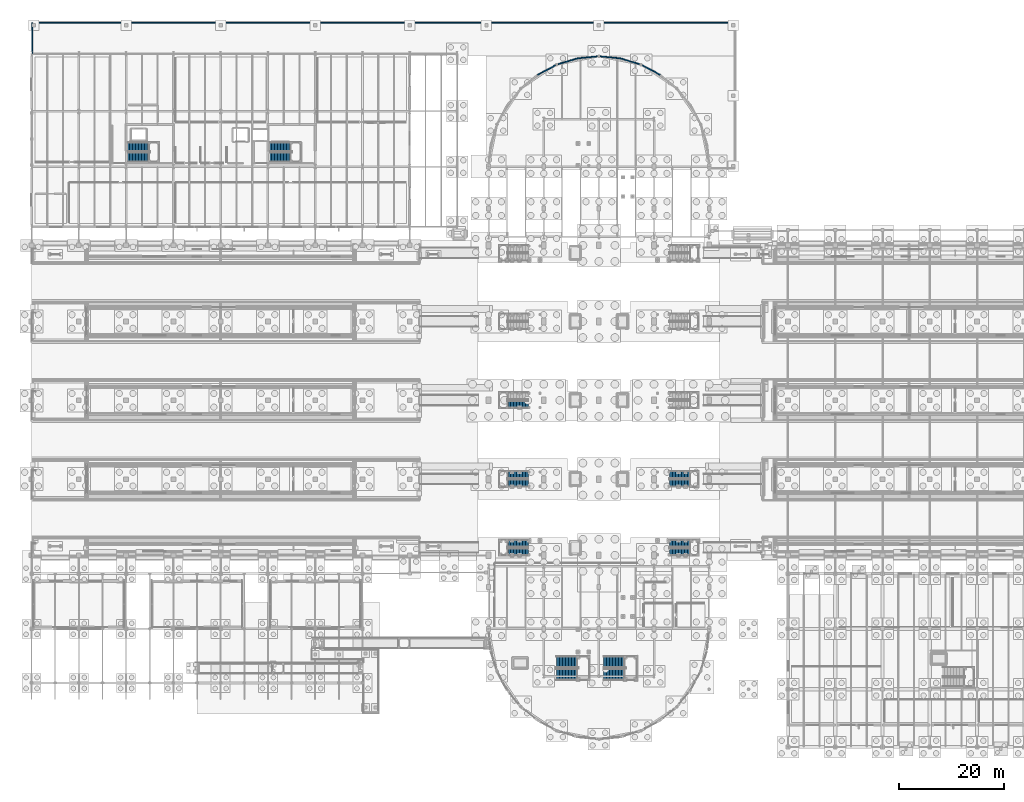
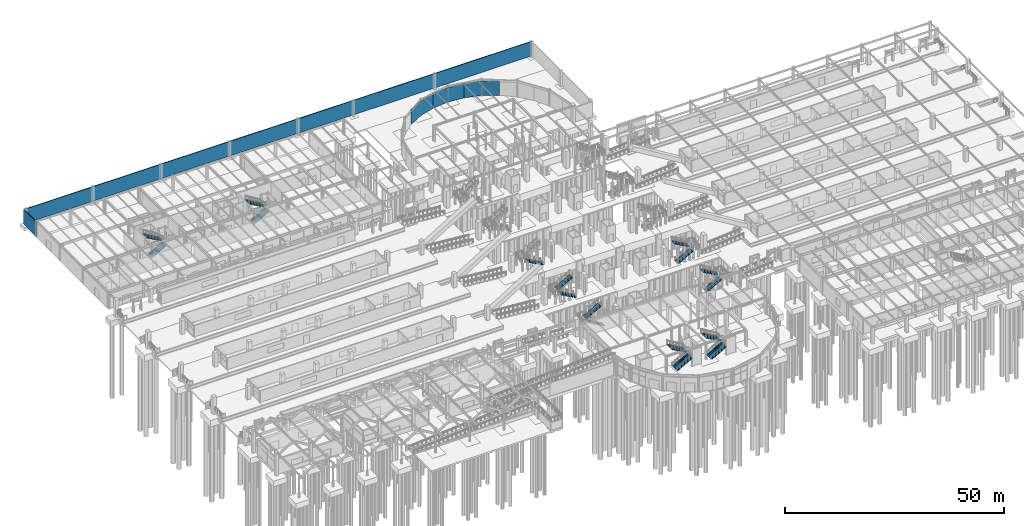
# One storey, part 114 of 160: 17 stair flights, 8 walls, 9 elements without a shape of their own.
"""IFC4 building model written with IfcOpenShell, lengths in metres."""

import ifcopenshell
import ifcopenshell.guid

model = None  # the IFC model being written
_history = None  # IfcOwnerHistory: only IFC2X3 demands one
_inside = {}  # id of a spatial element -> (the spatial element, [elements in it])
_under = {}  # id of a project, library or spatial element -> (it, [spatial elements below it])
_declared = {}  # id of a project -> (the project, [libraries it declares])
_typed = {}  # id of a type object -> (the type object, [elements of that type])
_made_of = {}  # id of a material, layer set ... -> (it, [elements and type objects made of it])


def new_model(schema):
    """Start an empty IFC model of exactly this schema.

    Asked for "IFC4X3", IfcOpenShell would pick the latest addendum, in which some entities
    have other attributes; the version numbers below select the first issue.
    IFC2X3 requires an IfcOwnerHistory on every rooted entity: one is made here for all.
    """
    global model, _history
    if schema == "IFC4X3":
        model = ifcopenshell.file(schema_version=(4, 3, 0, 0))
    else:
        model = ifcopenshell.file(schema=schema)
    _inside.clear()
    _under.clear()
    _declared.clear()
    _typed.clear()
    _made_of.clear()
    _history = None
    if model.schema == "IFC2X3":
        org = make("IfcOrganization", Name="unknown")
        user = make(
            "IfcPersonAndOrganization",
            ThePerson=make("IfcPerson", FamilyName="unknown"),
            TheOrganization=org,
        )
        app = make(
            "IfcApplication",
            ApplicationDeveloper=org,
            Version="unknown",
            ApplicationFullName="unknown",
            ApplicationIdentifier="unknown",
        )
        _history = make(
            "IfcOwnerHistory",
            OwningUser=user,
            OwningApplication=app,
            ChangeAction="ADDED",
            CreationDate=0,
        )
    return model


def make(cls, **values):
    """One entity of the class cls with the attributes given. An attribute that is None is left unset."""
    return model.create_entity(
        cls, **{name: value for name, value in values.items() if value is not None}
    )


def rooted(cls, **values):
    """An entity with a GlobalId (a new one), such as an element, a storey or a relation."""
    return make(cls, GlobalId=ifcopenshell.guid.new(), OwnerHistory=_history, **values)


def si_unit(unit_type, name, prefix=None):
    """IfcSIUnit, for example si_unit("LENGTHUNIT", "METRE", prefix="MILLI")."""
    return make("IfcSIUnit", UnitType=unit_type, Prefix=prefix, Name=name)


def assignment(units):
    """IfcUnitAssignment: the units of a project."""
    return None if units is None else make("IfcUnitAssignment", Units=units)


def point(xyz):
    """IfcCartesianPoint."""
    return None if xyz is None else make("IfcCartesianPoint", Coordinates=xyz)


def direction(xyz):
    """IfcDirection."""
    return None if xyz is None else make("IfcDirection", DirectionRatios=xyz)


def frame(location, z_axis=None, x_axis=None):
    """IfcAxis2Placement3D, a coordinate frame: its origin and axes. An axis left out is left unset."""
    return make(
        "IfcAxis2Placement3D",
        Location=point(location),
        Axis=direction(z_axis),
        RefDirection=direction(x_axis),
    )


def frame_2d(location, x_axis=None):
    """IfcAxis2Placement2D, a coordinate frame in the plane: its origin and x axis."""
    return make(
        "IfcAxis2Placement2D", Location=point(location), RefDirection=direction(x_axis)
    )


def origin():
    """The frame at (0, 0, 0) with its axes left unset."""
    return frame((0.0, 0.0, 0.0))


def place(relative_to, where):
    """IfcLocalPlacement: puts the frame where relative to a parent placement (None: the world)."""
    return make(
        "IfcLocalPlacement", PlacementRelTo=relative_to, RelativePlacement=where
    )


def context(
    kind, dimensions, precision=None, world=None, true_north=None, identifier=None
):
    """IfcGeometricRepresentationContext, for example the 3D "Model" context."""
    return make(
        "IfcGeometricRepresentationContext",
        ContextIdentifier=identifier,
        ContextType=kind,
        CoordinateSpaceDimension=dimensions,
        Precision=precision,
        WorldCoordinateSystem=world,
        TrueNorth=true_north,
    )


def subcontext(parent, identifier, kind, view, scale=None):
    """IfcGeometricRepresentationSubContext, for example "Body" below "Model"."""
    return make(
        "IfcGeometricRepresentationSubContext",
        ContextIdentifier=identifier,
        ContextType=kind,
        ParentContext=parent,
        TargetScale=scale,
        TargetView=view,
    )


def project(units=None, contexts=None):
    """IfcProject with its units and contexts."""
    return rooted(
        "IfcProject",
        Name="project",
        RepresentationContexts=contexts,
        UnitsInContext=assignment(units),
    )


def spatial(cls, under=None, at=None, **own):
    """A site, building, storey or space (cls), placed at a placement, below another one or the project."""
    s = rooted(cls, ObjectPlacement=at, **own)
    if under is not None:
        _under.setdefault(under.id(), (under, []))[1].append(s)
    return s


def polyline(points):
    """IfcPolyline through the points."""
    return make("IfcPolyline", Points=[point(p) for p in points])


def profile(cls, at=None, kind="AREA", **sizes):
    """A parametric profile (cls). Its sizes go by their IFC names, for example OverallWidth=200.0."""
    return make(cls, ProfileType=kind, Position=at, **sizes)


def rectangle(**sizes):
    """IfcRectangleProfileDef."""
    return profile("IfcRectangleProfileDef", **sizes)


def outline(outer, holes=None, kind="AREA"):
    """IfcArbitraryClosedProfileDef: a profile drawn as a closed curve; with holes, ...WithVoids."""
    if holes is None:
        return make("IfcArbitraryClosedProfileDef", ProfileType=kind, OuterCurve=outer)
    return make(
        "IfcArbitraryProfileDefWithVoids",
        ProfileType=kind,
        OuterCurve=outer,
        InnerCurves=holes,
    )


def extrude(swept, where, along, depth):
    """IfcExtrudedAreaSolid: the profile swept, set in the frame where, extruded along a direction by depth."""
    return make(
        "IfcExtrudedAreaSolid",
        SweptArea=swept,
        Position=where,
        ExtrudedDirection=direction(along),
        Depth=depth,
    )


def shape(context_of_items, identifier, shape_type, items):
    """IfcShapeRepresentation: the items that make up one representation, for example the "Body"."""
    return make(
        "IfcShapeRepresentation",
        ContextOfItems=context_of_items,
        RepresentationIdentifier=identifier,
        RepresentationType=shape_type,
        Items=items,
    )


def material(Name=None, Category=None):
    """IfcMaterial."""
    return make("IfcMaterial", Name=Name, Category=Category)


def layer(
    of_material, thickness, ventilated=None, Name=None, Category=None, Priority=None
):
    """IfcMaterialLayer: one layer of a wall or slab, of a material (None: an air gap)."""
    return make(
        "IfcMaterialLayer",
        Material=of_material,
        LayerThickness=thickness,
        IsVentilated=ventilated,
        Name=Name,
        Category=Category,
        Priority=Priority,
    )


def layer_set(layers, Name=None):
    """IfcMaterialLayerSet."""
    return make("IfcMaterialLayerSet", MaterialLayers=layers, LayerSetName=Name)


def made_of(thing, what):
    """Note that an element or type object is made of a material, layer set ...; save() writes the relation."""
    if what is not None:
        _made_of.setdefault(what.id(), (what, []))[1].append(thing)
    return thing


def type_object(cls, material=None, **own):
    """A type object (cls), such as IfcWallType, which elements share."""
    return made_of(rooted(cls, **own), material)


def element(
    cls,
    number,
    at=None,
    inside=None,
    cuts=None,
    type_object=None,
    material=None,
    context=None,
    identifier="Body",
    shape_type=None,
    held_by="IfcProductDefinitionShape",
    body=None,
    shapes=None,
    **own,
):
    """One element of the class cls, such as IfcWall. Its Tag is "e" and its number.

    at: its placement. inside: the storey or other place that contains it. cuts: it is an
    opening in that element (IfcRelVoidsElement). A single representation is given by context,
    identifier, shape_type and body (its items); several are given by shapes. held_by: the class
    of the entity that holds the representations. save() writes the other relations.
    """
    e = rooted(cls, Tag="e%d" % number, ObjectPlacement=at, **own)
    if body is not None:
        shapes = [shape(context, identifier, shape_type, body)]
    if shapes is not None:
        e.Representation = make(held_by, Representations=shapes)
    if inside is not None:
        _inside.setdefault(inside.id(), (inside, []))[1].append(e)
    if cuts is not None:
        rooted(
            "IfcRelVoidsElement", RelatingBuildingElement=cuts, RelatedOpeningElement=e
        )
    if type_object is not None:
        _typed.setdefault(type_object.id(), (type_object, []))[1].append(e)
    return made_of(e, material)


def aggregate(whole, parts):
    """IfcRelAggregates: a whole, such as a stair, and the parts it consists of."""
    return rooted("IfcRelAggregates", RelatingObject=whole, RelatedObjects=parts)


def save(model, path):
    """Write the relations noted so far, then the file.

    IfcRelAggregates (storeys below a building ...), IfcRelContainedInSpatialStructure (elements
    in a storey), IfcRelDefinesByType, IfcRelAssociatesMaterial and IfcRelDeclares: one each for
    every whole, place, type object, material and project.
    """
    for whole, parts in _under.values():
        aggregate(whole, parts)
    for where, things in _inside.values():
        rooted(
            "IfcRelContainedInSpatialStructure",
            RelatedElements=things,
            RelatingStructure=where,
        )
    for kind, things in _typed.values():
        rooted("IfcRelDefinesByType", RelatedObjects=things, RelatingType=kind)
    for what, things in _made_of.values():
        rooted("IfcRelAssociatesMaterial", RelatedObjects=things, RelatingMaterial=what)
    for by, libraries in _declared.values():
        rooted("IfcRelDeclares", RelatingContext=by, RelatedDefinitions=libraries)
    model.write(path)


model = new_model("IFC4")

# Units and contexts
model_context = context("Model", 3, precision=1e-05, world=origin(), true_north=direction((0.0, 1.0)))
body_context = subcontext(model_context, "Body", "Model", "MODEL_VIEW")
ifc_project = project(units=[si_unit("LENGTHUNIT", "METRE"), si_unit("AREAUNIT", "SQUARE_METRE"), si_unit("VOLUMEUNIT", "CUBIC_METRE"), si_unit("PLANEANGLEUNIT", "RADIAN"), si_unit("MASSUNIT", "GRAM", prefix="KILO")], contexts=[model_context])

# Site, building, storey
site_placement = place(None, origin())
site = spatial("IfcSite", under=ifc_project, at=site_placement, CompositionType="ELEMENT")
building_placement = place(site_placement, origin())
building = spatial("IfcBuilding", under=site, at=building_placement, Name="Marlcrest Central Station", CompositionType="ELEMENT")
storey_placement = place(building_placement, origin())
storey = spatial("IfcBuildingStorey", under=building, at=storey_placement, Name="L00", CompositionType="ELEMENT", Elevation=0.0)

# Walls
ifc_material_1 = material(Name="Concrete C40/50", Category="concrete")
ifc_layer = layer(ifc_material_1, 0.199951171875, Name="EP-01")
ifc_layer_set = layer_set([ifc_layer], Name="Concrete C40/50")
wall_type = type_object("IfcWallType", Name="EP-01", PredefinedType="PARAPET", material=ifc_layer_set)
wall_1_placement = place(storey_placement, frame((96.3330078125, 127.9609375, 0.0), z_axis=(0.0, 0.0, 1.0), x_axis=(0.882014542218, 0.471222184661, 0.0)))
element("IfcWall", 1, at=wall_1_placement, inside=storey, type_object=wall_type, Name="ewall-L00-0250", PredefinedType="PARAPET", context=body_context, shape_type="SweptSolid", body=[
    extrude(rectangle(XDim=4.116943359375, YDim=0.199951171875, at=frame_2d((2.05859375, 0.0))), origin(), (0.0, 0.0, 1.0), 4.0400390625),
])
wall_2_placement = place(storey_placement, frame((99.964111328125, 129.90087890625, 0.0), z_axis=(0.0, 0.0, 1.0), x_axis=(0.956927078218, 0.290328377828, 0.0)))
element("IfcWall", 2, at=wall_2_placement, inside=storey, type_object=wall_type, Name="ewall-L00-0251", PredefinedType="PARAPET", context=body_context, shape_type="SweptSolid", body=[
    extrude(rectangle(XDim=4.1162109375, YDim=0.199951171875, at=frame_2d((2.05810546875, 0.0))), origin(), (0.0, 0.0, 1.0), 4.0400390625),
])
for number, where, z_axis, x_axis, name in (
    (3, (103.903076171875, 131.095947265625, 0.0), (0.0, 0.0, 1.0), (0.995171900502, 0.098147279383, 0.0), "ewall-L00-0252"),
    (4, (108.0, 131.5, 0.0), (0.0, 0.0, 1.0), (0.995171900502, -0.098147279383, 0.0), "ewall-L00-0253"),
):
    element("IfcWall", number, at=place(storey_placement, frame(where, z_axis=z_axis, x_axis=x_axis)), inside=storey, type_object=wall_type, Name=name, PredefinedType="PARAPET", context=body_context, shape_type="SweptSolid", body=[
        extrude(rectangle(XDim=4.11669921875, YDim=0.199951171875, at=frame_2d((2.058349609375, 0.0))), origin(), (0.0, 0.0, 1.0), 4.0400390625),
    ])
wall_3_placement = place(storey_placement, frame((112.096923828125, 131.095947265625, 0.0), z_axis=(0.0, 0.0, 1.0), x_axis=(0.956927078218, -0.290328377828, 0.0)))
element("IfcWall", 5, at=wall_3_placement, inside=storey, type_object=wall_type, Name="ewall-L00-0254", PredefinedType="PARAPET", context=body_context, shape_type="SweptSolid", body=[
    extrude(rectangle(XDim=4.1162109375, YDim=0.199951171875, at=frame_2d((2.05810546875, 0.0))), origin(), (0.0, 0.0, 1.0), 4.0400390625),
])
wall_4_placement = place(storey_placement, frame((116.035888671875, 129.90087890625, 0.0), z_axis=(0.0, 0.0, 1.0), x_axis=(0.882014542218, -0.471222184661, 0.0)))
element("IfcWall", 6, at=wall_4_placement, inside=storey, type_object=wall_type, Name="ewall-L00-0255", PredefinedType="PARAPET", context=body_context, shape_type="SweptSolid", body=[
    extrude(rectangle(XDim=4.116943359375, YDim=0.199951171875, at=frame_2d((2.05859375, 0.0))), origin(), (0.0, 0.0, 1.0), 4.0400390625),
])
wall_5_placement = place(storey_placement, frame((0.14990234375, 132.0, 0.0), z_axis=(0.0, 0.0, 1.0), x_axis=(0.0, 1.0, 0.0)))
element("IfcWall", 7, at=wall_5_placement, inside=storey, type_object=wall_type, Name="ewall-L00-0261", PredefinedType="PARAPET", context=body_context, shape_type="SweptSolid", body=[
    extrude(rectangle(XDim=5.85009765625, YDim=0.199951171875, at=frame_2d((2.925048828125, 0.0))), origin(), (0.0, 0.0, 1.0), 4.0400390625),
])
wall_6_placement = place(storey_placement, frame((0.14990234375, 137.85009765625, 0.0), z_axis=(0.0, 0.0, 1.0), x_axis=(1.0, 0.0, 0.0)))
element("IfcWall", 8, at=wall_6_placement, inside=storey, type_object=wall_type, Name="ewall-L00-0262", PredefinedType="PARAPET", context=body_context, shape_type="SweptSolid", body=[
    extrude(rectangle(XDim=133.7001953125, YDim=0.199951171875, at=frame_2d((66.85009765625, 0.0))), origin(), (0.0, 0.0, 1.0), 4.0400390625),
])

# Stair, stair flights
ifc_material_2 = material(Name="Concrete C35/45", Category="concrete")
stair_type_1 = type_object("IfcStairType", Name="ST-HTP", PredefinedType="HALF_TURN_STAIR", material=ifc_material_2)
stair_1_placement = place(storey_placement, origin())
stair_1 = element("IfcStair", 9, at=stair_1_placement, inside=storey, type_object=stair_type_1, Name="ST-P1W", PredefinedType="HALF_TURN_STAIR")
stair_flight_type_1 = type_object("IfcStairFlightType", Name="SF-145", PredefinedType="STRAIGHT", material=ifc_material_2)
stair_flight_1_placement = place(storey_placement, frame((94.580078125, 37.14501953125, 0.0), z_axis=(0.0, 0.0, 1.0), x_axis=(-1.0, 0.0, 0.0)))
stair_flight_1 = element("IfcStairFlight", 10, at=stair_flight_1_placement, type_object=stair_flight_type_1, Name="ST-P1W-F1", NumberOfRisers=15, NumberOfTreads=14, PredefinedType="STRAIGHT", RiserHeight=0.16, TreadLength=0.285, context=body_context, shape_type="SweptSolid", body=[
    extrude(outline(polyline([(0.0, 0.0), (0.0, 0.159912109375), (0.284912109375, 0.159912109375), (0.284912109375, 0.320068359375), (0.570068359375, 0.320068359375), (0.570068359375, 0.47998046875), (0.85498046875, 0.47998046875), (0.85498046875, 0.639892578125), (1.139892578125, 0.639892578125), (1.139892578125, 0.800048828125), (1.425048828125, 0.800048828125), (1.425048828125, 0.9599609375), (1.7099609375, 0.9599609375), (1.7099609375, 1.1201171875), (1.9951171875, 1.1201171875), (1.9951171875, 1.280029296875), (2.280029296875, 1.280029296875), (2.280029296875, 1.43994140625), (2.56494140625, 1.43994140625), (2.56494140625, 1.60009765625), (2.85009765625, 1.60009765625), (2.85009765625, 1.760009765625), (3.135009765625, 1.760009765625), (3.135009765625, 1.919921875), (3.419921875, 1.919921875), (3.419921875, 2.080078125), (3.705078125, 2.080078125), (3.705078125, 2.239990234375), (3.989990234375, 2.239990234375), (3.989990234375, 2.39990234375), (3.989990234375, 2.056640625), (0.32666015625, 0.0), (0.0, 0.0)])), frame((0.0, 0.72509765625, 0.0), z_axis=(0.0, -1.0, 0.0), x_axis=(1.0, 0.0, 0.0)), (0.0, 0.0, 1.0), 1.449951171875),
])
stair_flight_2_placement = place(storey_placement, frame((90.590087890625, 38.7548828125, 2.39990234375), z_axis=(0.0, 0.0, 1.0), x_axis=(1.0, 0.0, 0.0)))
stair_flight_2 = element("IfcStairFlight", 11, at=stair_flight_2_placement, type_object=stair_flight_type_1, Name="ST-P1W-F2", NumberOfRisers=15, NumberOfTreads=14, PredefinedType="STRAIGHT", RiserHeight=0.16, TreadLength=0.285, context=body_context, shape_type="SweptSolid", body=[
    extrude(outline(polyline([(0.0, 0.0), (0.0, 0.159912109375), (0.284912109375, 0.159912109375), (0.284912109375, 0.320068359375), (0.570068359375, 0.320068359375), (0.570068359375, 0.47998046875), (0.85498046875, 0.47998046875), (0.85498046875, 0.639892578125), (1.139892578125, 0.639892578125), (1.139892578125, 0.800048828125), (1.425048828125, 0.800048828125), (1.425048828125, 0.9599609375), (1.7099609375, 0.9599609375), (1.7099609375, 1.1201171875), (1.9951171875, 1.1201171875), (1.9951171875, 1.280029296875), (2.280029296875, 1.280029296875), (2.280029296875, 1.43994140625), (2.56494140625, 1.43994140625), (2.56494140625, 1.60009765625), (2.85009765625, 1.60009765625), (2.85009765625, 1.760009765625), (3.135009765625, 1.760009765625), (3.135009765625, 1.919921875), (3.419921875, 1.919921875), (3.419921875, 2.080078125), (3.705078125, 2.080078125), (3.705078125, 2.239990234375), (3.989990234375, 2.239990234375), (3.989990234375, 2.39990234375), (3.989990234375, 2.056640625), (0.32666015625, 0.0), (0.0, 0.0)])), frame((0.0, 0.72509765625, 0.0), z_axis=(0.0, -1.0, 0.0), x_axis=(1.0, 0.0, 0.0)), (0.0, 0.0, 1.0), 1.449951171875),
])
aggregate(stair_1, [stair_flight_1, stair_flight_2])

stair_2_placement = place(storey_placement, origin())
stair_2 = element("IfcStair", 12, at=stair_2_placement, inside=storey, type_object=stair_type_1, Name="ST-P1E", PredefinedType="HALF_TURN_STAIR")
stair_flight_3_placement = place(storey_placement, frame((121.419921875, 37.14501953125, 0.0), z_axis=(0.0, 0.0, 1.0), x_axis=(1.0, 0.0, 0.0)))
stair_flight_3 = element("IfcStairFlight", 13, at=stair_flight_3_placement, type_object=stair_flight_type_1, Name="ST-P1E-F1", NumberOfRisers=15, NumberOfTreads=14, PredefinedType="STRAIGHT", RiserHeight=0.16, TreadLength=0.285, context=body_context, shape_type="SweptSolid", body=[
    extrude(outline(polyline([(0.0, 0.0), (0.0, 0.159912109375), (0.284912109375, 0.159912109375), (0.284912109375, 0.320068359375), (0.570068359375, 0.320068359375), (0.570068359375, 0.47998046875), (0.85498046875, 0.47998046875), (0.85498046875, 0.639892578125), (1.139892578125, 0.639892578125), (1.139892578125, 0.800048828125), (1.425048828125, 0.800048828125), (1.425048828125, 0.9599609375), (1.7099609375, 0.9599609375), (1.7099609375, 1.1201171875), (1.9951171875, 1.1201171875), (1.9951171875, 1.280029296875), (2.280029296875, 1.280029296875), (2.280029296875, 1.43994140625), (2.56494140625, 1.43994140625), (2.56494140625, 1.60009765625), (2.85009765625, 1.60009765625), (2.85009765625, 1.760009765625), (3.135009765625, 1.760009765625), (3.135009765625, 1.919921875), (3.419921875, 1.919921875), (3.419921875, 2.080078125), (3.705078125, 2.080078125), (3.705078125, 2.239990234375), (3.989990234375, 2.239990234375), (3.989990234375, 2.39990234375), (3.989990234375, 2.056640625), (0.32666015625, 0.0), (0.0, 0.0)])), frame((0.0, 0.72509765625, 0.0), z_axis=(0.0, -1.0, 0.0), x_axis=(1.0, 0.0, 0.0)), (0.0, 0.0, 1.0), 1.449951171875),
])
stair_flight_4_placement = place(storey_placement, frame((125.409912109375, 38.7548828125, 2.39990234375), z_axis=(0.0, 0.0, 1.0), x_axis=(-1.0, 0.0, 0.0)))
stair_flight_4 = element("IfcStairFlight", 14, at=stair_flight_4_placement, type_object=stair_flight_type_1, Name="ST-P1E-F2", NumberOfRisers=15, NumberOfTreads=14, PredefinedType="STRAIGHT", RiserHeight=0.16, TreadLength=0.285, context=body_context, shape_type="SweptSolid", body=[
    extrude(outline(polyline([(0.0, 0.0), (0.0, 0.159912109375), (0.284912109375, 0.159912109375), (0.284912109375, 0.320068359375), (0.570068359375, 0.320068359375), (0.570068359375, 0.47998046875), (0.85498046875, 0.47998046875), (0.85498046875, 0.639892578125), (1.139892578125, 0.639892578125), (1.139892578125, 0.800048828125), (1.425048828125, 0.800048828125), (1.425048828125, 0.9599609375), (1.7099609375, 0.9599609375), (1.7099609375, 1.1201171875), (1.9951171875, 1.1201171875), (1.9951171875, 1.280029296875), (2.280029296875, 1.280029296875), (2.280029296875, 1.43994140625), (2.56494140625, 1.43994140625), (2.56494140625, 1.60009765625), (2.85009765625, 1.60009765625), (2.85009765625, 1.760009765625), (3.135009765625, 1.760009765625), (3.135009765625, 1.919921875), (3.419921875, 1.919921875), (3.419921875, 2.080078125), (3.705078125, 2.080078125), (3.705078125, 2.239990234375), (3.989990234375, 2.239990234375), (3.989990234375, 2.39990234375), (3.989990234375, 2.056640625), (0.32666015625, 0.0), (0.0, 0.0)])), frame((0.0, 0.72509765625, 0.0), z_axis=(0.0, -1.0, 0.0), x_axis=(1.0, 0.0, 0.0)), (0.0, 0.0, 1.0), 1.449951171875),
])
aggregate(stair_2, [stair_flight_3, stair_flight_4])

stair_3_placement = place(storey_placement, origin())
stair_3 = element("IfcStair", 15, at=stair_3_placement, inside=storey, type_object=stair_type_1, Name="ST-P2W", PredefinedType="HALF_TURN_STAIR")
stair_flight_5_placement = place(storey_placement, frame((94.580078125, 50.195068359375, 0.0), z_axis=(0.0, 0.0, 1.0), x_axis=(-1.0, 0.0, 0.0)))
stair_flight_5 = element("IfcStairFlight", 16, at=stair_flight_5_placement, type_object=stair_flight_type_1, Name="ST-P2W-F1", NumberOfRisers=15, NumberOfTreads=14, PredefinedType="STRAIGHT", RiserHeight=0.16, TreadLength=0.285, context=body_context, shape_type="SweptSolid", body=[
    extrude(outline(polyline([(0.0, 0.0), (0.0, 0.159912109375), (0.284912109375, 0.159912109375), (0.284912109375, 0.320068359375), (0.570068359375, 0.320068359375), (0.570068359375, 0.47998046875), (0.85498046875, 0.47998046875), (0.85498046875, 0.639892578125), (1.139892578125, 0.639892578125), (1.139892578125, 0.800048828125), (1.425048828125, 0.800048828125), (1.425048828125, 0.9599609375), (1.7099609375, 0.9599609375), (1.7099609375, 1.1201171875), (1.9951171875, 1.1201171875), (1.9951171875, 1.280029296875), (2.280029296875, 1.280029296875), (2.280029296875, 1.43994140625), (2.56494140625, 1.43994140625), (2.56494140625, 1.60009765625), (2.85009765625, 1.60009765625), (2.85009765625, 1.760009765625), (3.135009765625, 1.760009765625), (3.135009765625, 1.919921875), (3.419921875, 1.919921875), (3.419921875, 2.080078125), (3.705078125, 2.080078125), (3.705078125, 2.239990234375), (3.989990234375, 2.239990234375), (3.989990234375, 2.39990234375), (3.989990234375, 2.056640625), (0.32666015625, 0.0), (0.0, 0.0)])), frame((0.0, 0.72509765625, 0.0), z_axis=(0.0, -1.0, 0.0), x_axis=(1.0, 0.0, 0.0)), (0.0, 0.0, 1.0), 1.449951171875),
])
stair_flight_6_placement = place(storey_placement, frame((90.590087890625, 51.804931640625, 2.39990234375), z_axis=(0.0, 0.0, 1.0), x_axis=(1.0, 0.0, 0.0)))
stair_flight_6 = element("IfcStairFlight", 17, at=stair_flight_6_placement, type_object=stair_flight_type_1, Name="ST-P2W-F2", NumberOfRisers=15, NumberOfTreads=14, PredefinedType="STRAIGHT", RiserHeight=0.16, TreadLength=0.285, context=body_context, shape_type="SweptSolid", body=[
    extrude(outline(polyline([(0.0, 0.0), (0.0, 0.159912109375), (0.284912109375, 0.159912109375), (0.284912109375, 0.320068359375), (0.570068359375, 0.320068359375), (0.570068359375, 0.47998046875), (0.85498046875, 0.47998046875), (0.85498046875, 0.639892578125), (1.139892578125, 0.639892578125), (1.139892578125, 0.800048828125), (1.425048828125, 0.800048828125), (1.425048828125, 0.9599609375), (1.7099609375, 0.9599609375), (1.7099609375, 1.1201171875), (1.9951171875, 1.1201171875), (1.9951171875, 1.280029296875), (2.280029296875, 1.280029296875), (2.280029296875, 1.43994140625), (2.56494140625, 1.43994140625), (2.56494140625, 1.60009765625), (2.85009765625, 1.60009765625), (2.85009765625, 1.760009765625), (3.135009765625, 1.760009765625), (3.135009765625, 1.919921875), (3.419921875, 1.919921875), (3.419921875, 2.080078125), (3.705078125, 2.080078125), (3.705078125, 2.239990234375), (3.989990234375, 2.239990234375), (3.989990234375, 2.39990234375), (3.989990234375, 2.056640625), (0.32666015625, 0.0), (0.0, 0.0)])), frame((0.0, 0.72509765625, 0.0), z_axis=(0.0, -1.0, 0.0), x_axis=(1.0, 0.0, 0.0)), (0.0, 0.0, 1.0), 1.449951171875),
])
aggregate(stair_3, [stair_flight_5, stair_flight_6])

stair_4_placement = place(storey_placement, origin())
stair_4 = element("IfcStair", 18, at=stair_4_placement, inside=storey, type_object=stair_type_1, Name="ST-P2E", PredefinedType="HALF_TURN_STAIR")
stair_flight_7_placement = place(storey_placement, frame((121.419921875, 50.195068359375, 0.0), z_axis=(0.0, 0.0, 1.0), x_axis=(1.0, 0.0, 0.0)))
stair_flight_7 = element("IfcStairFlight", 19, at=stair_flight_7_placement, type_object=stair_flight_type_1, Name="ST-P2E-F1", NumberOfRisers=15, NumberOfTreads=14, PredefinedType="STRAIGHT", RiserHeight=0.16, TreadLength=0.285, context=body_context, shape_type="SweptSolid", body=[
    extrude(outline(polyline([(0.0, 0.0), (0.0, 0.159912109375), (0.284912109375, 0.159912109375), (0.284912109375, 0.320068359375), (0.570068359375, 0.320068359375), (0.570068359375, 0.47998046875), (0.85498046875, 0.47998046875), (0.85498046875, 0.639892578125), (1.139892578125, 0.639892578125), (1.139892578125, 0.800048828125), (1.425048828125, 0.800048828125), (1.425048828125, 0.9599609375), (1.7099609375, 0.9599609375), (1.7099609375, 1.1201171875), (1.9951171875, 1.1201171875), (1.9951171875, 1.280029296875), (2.280029296875, 1.280029296875), (2.280029296875, 1.43994140625), (2.56494140625, 1.43994140625), (2.56494140625, 1.60009765625), (2.85009765625, 1.60009765625), (2.85009765625, 1.760009765625), (3.135009765625, 1.760009765625), (3.135009765625, 1.919921875), (3.419921875, 1.919921875), (3.419921875, 2.080078125), (3.705078125, 2.080078125), (3.705078125, 2.239990234375), (3.989990234375, 2.239990234375), (3.989990234375, 2.39990234375), (3.989990234375, 2.056640625), (0.32666015625, 0.0), (0.0, 0.0)])), frame((0.0, 0.72509765625, 0.0), z_axis=(0.0, -1.0, 0.0), x_axis=(1.0, 0.0, 0.0)), (0.0, 0.0, 1.0), 1.449951171875),
])
stair_flight_8_placement = place(storey_placement, frame((125.409912109375, 51.804931640625, 2.39990234375), z_axis=(0.0, 0.0, 1.0), x_axis=(-1.0, 0.0, 0.0)))
stair_flight_8 = element("IfcStairFlight", 20, at=stair_flight_8_placement, type_object=stair_flight_type_1, Name="ST-P2E-F2", NumberOfRisers=15, NumberOfTreads=14, PredefinedType="STRAIGHT", RiserHeight=0.16, TreadLength=0.285, context=body_context, shape_type="SweptSolid", body=[
    extrude(outline(polyline([(0.0, 0.0), (0.0, 0.159912109375), (0.284912109375, 0.159912109375), (0.284912109375, 0.320068359375), (0.570068359375, 0.320068359375), (0.570068359375, 0.47998046875), (0.85498046875, 0.47998046875), (0.85498046875, 0.639892578125), (1.139892578125, 0.639892578125), (1.139892578125, 0.800048828125), (1.425048828125, 0.800048828125), (1.425048828125, 0.9599609375), (1.7099609375, 0.9599609375), (1.7099609375, 1.1201171875), (1.9951171875, 1.1201171875), (1.9951171875, 1.280029296875), (2.280029296875, 1.280029296875), (2.280029296875, 1.43994140625), (2.56494140625, 1.43994140625), (2.56494140625, 1.60009765625), (2.85009765625, 1.60009765625), (2.85009765625, 1.760009765625), (3.135009765625, 1.760009765625), (3.135009765625, 1.919921875), (3.419921875, 1.919921875), (3.419921875, 2.080078125), (3.705078125, 2.080078125), (3.705078125, 2.239990234375), (3.989990234375, 2.239990234375), (3.989990234375, 2.39990234375), (3.989990234375, 2.056640625), (0.32666015625, 0.0), (0.0, 0.0)])), frame((0.0, 0.72509765625, 0.0), z_axis=(0.0, -1.0, 0.0), x_axis=(1.0, 0.0, 0.0)), (0.0, 0.0, 1.0), 1.449951171875),
])
aggregate(stair_4, [stair_flight_7, stair_flight_8])

# Stair, stair flight
stair_5_placement = place(storey_placement, origin())
stair_5 = element("IfcStair", 21, at=stair_5_placement, inside=storey, type_object=stair_type_1, Name="ST-P3W", PredefinedType="HALF_TURN_STAIR")
stair_flight_9_placement = place(storey_placement, frame((94.580078125, 65.195068359375, 0.0), z_axis=(0.0, 0.0, 1.0), x_axis=(-1.0, 0.0, 0.0)))
stair_flight_9 = element("IfcStairFlight", 22, at=stair_flight_9_placement, type_object=stair_flight_type_1, Name="ST-P3W-F1", NumberOfRisers=15, NumberOfTreads=14, PredefinedType="STRAIGHT", RiserHeight=0.16, TreadLength=0.285, context=body_context, shape_type="SweptSolid", body=[
    extrude(outline(polyline([(0.0, 0.0), (0.0, 0.159912109375), (0.284912109375, 0.159912109375), (0.284912109375, 0.320068359375), (0.570068359375, 0.320068359375), (0.570068359375, 0.47998046875), (0.85498046875, 0.47998046875), (0.85498046875, 0.639892578125), (1.139892578125, 0.639892578125), (1.139892578125, 0.800048828125), (1.425048828125, 0.800048828125), (1.425048828125, 0.9599609375), (1.7099609375, 0.9599609375), (1.7099609375, 1.1201171875), (1.9951171875, 1.1201171875), (1.9951171875, 1.280029296875), (2.280029296875, 1.280029296875), (2.280029296875, 1.43994140625), (2.56494140625, 1.43994140625), (2.56494140625, 1.60009765625), (2.85009765625, 1.60009765625), (2.85009765625, 1.760009765625), (3.135009765625, 1.760009765625), (3.135009765625, 1.919921875), (3.419921875, 1.919921875), (3.419921875, 2.080078125), (3.705078125, 2.080078125), (3.705078125, 2.239990234375), (3.989990234375, 2.239990234375), (3.989990234375, 2.39990234375), (3.989990234375, 2.056640625), (0.32666015625, 0.0), (0.0, 0.0)])), frame((0.0, 0.72509765625, 0.0), z_axis=(0.0, -1.0, 0.0), x_axis=(1.0, 0.0, 0.0)), (0.0, 0.0, 1.0), 1.449951171875),
])
aggregate(stair_5, [stair_flight_9])

# Stair, stair flights
stair_type_2 = type_object("IfcStairType", Name="ST-HTS", PredefinedType="HALF_TURN_STAIR", material=ifc_material_2)
stair_6_placement = place(storey_placement, origin())
stair_6 = element("IfcStair", 23, at=stair_6_placement, inside=storey, type_object=stair_type_2, Name="ST-W10", PredefinedType="HALF_TURN_STAIR")
stair_flight_type_2 = type_object("IfcStairFlightType", Name="SF-180", PredefinedType="STRAIGHT", material=ifc_material_2)
stair_flight_10_placement = place(storey_placement, frame((18.3701171875, 112.27001953125, 0.0), z_axis=(0.0, 0.0, 1.0), x_axis=(1.0, 0.0, 0.0)))
stair_flight_10 = element("IfcStairFlight", 24, at=stair_flight_10_placement, type_object=stair_flight_type_2, Name="ST-W10-F1", NumberOfRisers=15, NumberOfTreads=14, PredefinedType="STRAIGHT", RiserHeight=0.16, TreadLength=0.285, context=body_context, shape_type="SweptSolid", body=[
    extrude(outline(polyline([(0.0, 0.0), (0.0, 0.159912109375), (0.284912109375, 0.159912109375), (0.284912109375, 0.320068359375), (0.570068359375, 0.320068359375), (0.570068359375, 0.47998046875), (0.85498046875, 0.47998046875), (0.85498046875, 0.639892578125), (1.139892578125, 0.639892578125), (1.139892578125, 0.800048828125), (1.425048828125, 0.800048828125), (1.425048828125, 0.9599609375), (1.7099609375, 0.9599609375), (1.7099609375, 1.1201171875), (1.9951171875, 1.1201171875), (1.9951171875, 1.280029296875), (2.280029296875, 1.280029296875), (2.280029296875, 1.43994140625), (2.56494140625, 1.43994140625), (2.56494140625, 1.60009765625), (2.85009765625, 1.60009765625), (2.85009765625, 1.760009765625), (3.135009765625, 1.760009765625), (3.135009765625, 1.919921875), (3.419921875, 1.919921875), (3.419921875, 2.080078125), (3.705078125, 2.080078125), (3.705078125, 2.239990234375), (3.989990234375, 2.239990234375), (3.989990234375, 2.39990234375), (3.989990234375, 2.05078125), (0.337158203125, 0.0), (0.0, 0.0)])), frame((0.0, 0.89990234375, 0.0), z_axis=(0.0, -1.0, 0.0), x_axis=(1.0, 0.0, 0.0)), (0.0, 0.0, 1.0), 1.800048828125),
])
stair_flight_11_placement = place(storey_placement, frame((22.360107421875, 114.22998046875, 2.39990234375), z_axis=(0.0, 0.0, 1.0), x_axis=(-1.0, 0.0, 0.0)))
stair_flight_11 = element("IfcStairFlight", 25, at=stair_flight_11_placement, type_object=stair_flight_type_2, Name="ST-W10-F2", NumberOfRisers=15, NumberOfTreads=14, PredefinedType="STRAIGHT", RiserHeight=0.16, TreadLength=0.285, context=body_context, shape_type="SweptSolid", body=[
    extrude(outline(polyline([(0.0, 0.0), (0.0, 0.159912109375), (0.284912109375, 0.159912109375), (0.284912109375, 0.320068359375), (0.570068359375, 0.320068359375), (0.570068359375, 0.47998046875), (0.85498046875, 0.47998046875), (0.85498046875, 0.639892578125), (1.139892578125, 0.639892578125), (1.139892578125, 0.800048828125), (1.425048828125, 0.800048828125), (1.425048828125, 0.9599609375), (1.7099609375, 0.9599609375), (1.7099609375, 1.1201171875), (1.9951171875, 1.1201171875), (1.9951171875, 1.280029296875), (2.280029296875, 1.280029296875), (2.280029296875, 1.43994140625), (2.56494140625, 1.43994140625), (2.56494140625, 1.60009765625), (2.85009765625, 1.60009765625), (2.85009765625, 1.760009765625), (3.135009765625, 1.760009765625), (3.135009765625, 1.919921875), (3.419921875, 1.919921875), (3.419921875, 2.080078125), (3.705078125, 2.080078125), (3.705078125, 2.239990234375), (3.989990234375, 2.239990234375), (3.989990234375, 2.39990234375), (3.989990234375, 2.05078125), (0.337158203125, 0.0), (0.0, 0.0)])), frame((0.0, 0.89990234375, 0.0), z_axis=(0.0, -1.0, 0.0), x_axis=(1.0, 0.0, 0.0)), (0.0, 0.0, 1.0), 1.800048828125),
])
aggregate(stair_6, [stair_flight_10, stair_flight_11])

stair_7_placement = place(storey_placement, origin())
stair_7 = element("IfcStair", 26, at=stair_7_placement, inside=storey, type_object=stair_type_2, Name="ST-W20", PredefinedType="HALF_TURN_STAIR")
stair_flight_12_placement = place(storey_placement, frame((45.3701171875, 112.27001953125, 0.0), z_axis=(0.0, 0.0, 1.0), x_axis=(1.0, 0.0, 0.0)))
stair_flight_12 = element("IfcStairFlight", 27, at=stair_flight_12_placement, type_object=stair_flight_type_2, Name="ST-W20-F1", NumberOfRisers=15, NumberOfTreads=14, PredefinedType="STRAIGHT", RiserHeight=0.16, TreadLength=0.285, context=body_context, shape_type="SweptSolid", body=[
    extrude(outline(polyline([(0.0, 0.0), (0.0, 0.159912109375), (0.284912109375, 0.159912109375), (0.284912109375, 0.320068359375), (0.570068359375, 0.320068359375), (0.570068359375, 0.47998046875), (0.85498046875, 0.47998046875), (0.85498046875, 0.639892578125), (1.139892578125, 0.639892578125), (1.139892578125, 0.800048828125), (1.425048828125, 0.800048828125), (1.425048828125, 0.9599609375), (1.7099609375, 0.9599609375), (1.7099609375, 1.1201171875), (1.9951171875, 1.1201171875), (1.9951171875, 1.280029296875), (2.280029296875, 1.280029296875), (2.280029296875, 1.43994140625), (2.56494140625, 1.43994140625), (2.56494140625, 1.60009765625), (2.85009765625, 1.60009765625), (2.85009765625, 1.760009765625), (3.135009765625, 1.760009765625), (3.135009765625, 1.919921875), (3.419921875, 1.919921875), (3.419921875, 2.080078125), (3.705078125, 2.080078125), (3.705078125, 2.239990234375), (3.989990234375, 2.239990234375), (3.989990234375, 2.39990234375), (3.989990234375, 2.05078125), (0.337158203125, 0.0), (0.0, 0.0)])), frame((0.0, 0.89990234375, 0.0), z_axis=(0.0, -1.0, 0.0), x_axis=(1.0, 0.0, 0.0)), (0.0, 0.0, 1.0), 1.800048828125),
])
stair_flight_13_placement = place(storey_placement, frame((49.360107421875, 114.22998046875, 2.39990234375), z_axis=(0.0, 0.0, 1.0), x_axis=(-1.0, 0.0, 0.0)))
stair_flight_13 = element("IfcStairFlight", 28, at=stair_flight_13_placement, type_object=stair_flight_type_2, Name="ST-W20-F2", NumberOfRisers=15, NumberOfTreads=14, PredefinedType="STRAIGHT", RiserHeight=0.16, TreadLength=0.285, context=body_context, shape_type="SweptSolid", body=[
    extrude(outline(polyline([(0.0, 0.0), (0.0, 0.159912109375), (0.284912109375, 0.159912109375), (0.284912109375, 0.320068359375), (0.570068359375, 0.320068359375), (0.570068359375, 0.47998046875), (0.85498046875, 0.47998046875), (0.85498046875, 0.639892578125), (1.139892578125, 0.639892578125), (1.139892578125, 0.800048828125), (1.425048828125, 0.800048828125), (1.425048828125, 0.9599609375), (1.7099609375, 0.9599609375), (1.7099609375, 1.1201171875), (1.9951171875, 1.1201171875), (1.9951171875, 1.280029296875), (2.280029296875, 1.280029296875), (2.280029296875, 1.43994140625), (2.56494140625, 1.43994140625), (2.56494140625, 1.60009765625), (2.85009765625, 1.60009765625), (2.85009765625, 1.760009765625), (3.135009765625, 1.760009765625), (3.135009765625, 1.919921875), (3.419921875, 1.919921875), (3.419921875, 2.080078125), (3.705078125, 2.080078125), (3.705078125, 2.239990234375), (3.989990234375, 2.239990234375), (3.989990234375, 2.39990234375), (3.989990234375, 2.05078125), (0.337158203125, 0.0), (0.0, 0.0)])), frame((0.0, 0.89990234375, 0.0), z_axis=(0.0, -1.0, 0.0), x_axis=(1.0, 0.0, 0.0)), (0.0, 0.0, 1.0), 1.800048828125),
])
aggregate(stair_7, [stair_flight_12, stair_flight_13])

stair_type_3 = type_object("IfcStairType", Name="ST-HTW", PredefinedType="HALF_TURN_STAIR", material=ifc_material_2)
stair_8_placement = place(storey_placement, origin())
stair_8 = element("IfcStair", 29, at=stair_8_placement, inside=storey, type_object=stair_type_3, Name="ST-S01", PredefinedType="HALF_TURN_STAIR")
stair_flight_type_3 = type_object("IfcStairFlightType", Name="SF-240", PredefinedType="STRAIGHT", material=ifc_material_2)
stair_flight_14_placement = place(storey_placement, frame((99.919921875, 13.820068359375, 0.0), z_axis=(0.0, 0.0, 1.0), x_axis=(1.0, 0.0, 0.0)))
stair_flight_14 = element("IfcStairFlight", 30, at=stair_flight_14_placement, type_object=stair_flight_type_3, Name="ST-S01-F1", NumberOfRisers=15, NumberOfTreads=14, PredefinedType="STRAIGHT", RiserHeight=0.16, TreadLength=0.285, context=body_context, shape_type="SweptSolid", body=[
    extrude(outline(polyline([(0.0, 0.0), (0.0, 0.159912109375), (0.284912109375, 0.159912109375), (0.284912109375, 0.320068359375), (0.570068359375, 0.320068359375), (0.570068359375, 0.47998046875), (0.85498046875, 0.47998046875), (0.85498046875, 0.639892578125), (1.139892578125, 0.639892578125), (1.139892578125, 0.800048828125), (1.425048828125, 0.800048828125), (1.425048828125, 0.9599609375), (1.7099609375, 0.9599609375), (1.7099609375, 1.1201171875), (1.9951171875, 1.1201171875), (1.9951171875, 1.280029296875), (2.280029296875, 1.280029296875), (2.280029296875, 1.43994140625), (2.56494140625, 1.43994140625), (2.56494140625, 1.60009765625), (2.85009765625, 1.60009765625), (2.85009765625, 1.760009765625), (3.135009765625, 1.760009765625), (3.135009765625, 1.919921875), (3.419921875, 1.919921875), (3.419921875, 2.080078125), (3.705078125, 2.080078125), (3.705078125, 2.239990234375), (3.989990234375, 2.239990234375), (3.989990234375, 2.39990234375), (3.989990234375, 2.05078125), (0.337158203125, 0.0), (0.0, 0.0)])), frame((0.0, 1.10009765625, 0.0), z_axis=(0.0, -1.0, 0.0), x_axis=(1.0, 0.0, 0.0)), (0.0, 0.0, 1.0), 2.199951171875),
])
stair_flight_15_placement = place(storey_placement, frame((103.909912109375, 16.179931640625, 2.39990234375), z_axis=(0.0, 0.0, 1.0), x_axis=(-1.0, 0.0, 0.0)))
stair_flight_15 = element("IfcStairFlight", 31, at=stair_flight_15_placement, type_object=stair_flight_type_3, Name="ST-S01-F2", NumberOfRisers=15, NumberOfTreads=14, PredefinedType="STRAIGHT", RiserHeight=0.16, TreadLength=0.285, context=body_context, shape_type="SweptSolid", body=[
    extrude(outline(polyline([(0.0, 0.0), (0.0, 0.159912109375), (0.284912109375, 0.159912109375), (0.284912109375, 0.320068359375), (0.570068359375, 0.320068359375), (0.570068359375, 0.47998046875), (0.85498046875, 0.47998046875), (0.85498046875, 0.639892578125), (1.139892578125, 0.639892578125), (1.139892578125, 0.800048828125), (1.425048828125, 0.800048828125), (1.425048828125, 0.9599609375), (1.7099609375, 0.9599609375), (1.7099609375, 1.1201171875), (1.9951171875, 1.1201171875), (1.9951171875, 1.280029296875), (2.280029296875, 1.280029296875), (2.280029296875, 1.43994140625), (2.56494140625, 1.43994140625), (2.56494140625, 1.60009765625), (2.85009765625, 1.60009765625), (2.85009765625, 1.760009765625), (3.135009765625, 1.760009765625), (3.135009765625, 1.919921875), (3.419921875, 1.919921875), (3.419921875, 2.080078125), (3.705078125, 2.080078125), (3.705078125, 2.239990234375), (3.989990234375, 2.239990234375), (3.989990234375, 2.39990234375), (3.989990234375, 2.05078125), (0.337158203125, 0.0), (0.0, 0.0)])), frame((0.0, 1.10009765625, 0.0), z_axis=(0.0, -1.0, 0.0), x_axis=(1.0, 0.0, 0.0)), (0.0, 0.0, 1.0), 2.199951171875),
])
aggregate(stair_8, [stair_flight_14, stair_flight_15])

stair_9_placement = place(storey_placement, origin())
stair_9 = element("IfcStair", 32, at=stair_9_placement, inside=storey, type_object=stair_type_3, Name="ST-S02", PredefinedType="HALF_TURN_STAIR")
stair_flight_16_placement = place(storey_placement, frame((108.919921875, 13.820068359375, 0.0), z_axis=(0.0, 0.0, 1.0), x_axis=(1.0, 0.0, 0.0)))
stair_flight_16 = element("IfcStairFlight", 33, at=stair_flight_16_placement, type_object=stair_flight_type_3, Name="ST-S02-F1", NumberOfRisers=15, NumberOfTreads=14, PredefinedType="STRAIGHT", RiserHeight=0.16, TreadLength=0.285, context=body_context, shape_type="SweptSolid", body=[
    extrude(outline(polyline([(0.0, 0.0), (0.0, 0.159912109375), (0.284912109375, 0.159912109375), (0.284912109375, 0.320068359375), (0.570068359375, 0.320068359375), (0.570068359375, 0.47998046875), (0.85498046875, 0.47998046875), (0.85498046875, 0.639892578125), (1.139892578125, 0.639892578125), (1.139892578125, 0.800048828125), (1.425048828125, 0.800048828125), (1.425048828125, 0.9599609375), (1.7099609375, 0.9599609375), (1.7099609375, 1.1201171875), (1.9951171875, 1.1201171875), (1.9951171875, 1.280029296875), (2.280029296875, 1.280029296875), (2.280029296875, 1.43994140625), (2.56494140625, 1.43994140625), (2.56494140625, 1.60009765625), (2.85009765625, 1.60009765625), (2.85009765625, 1.760009765625), (3.135009765625, 1.760009765625), (3.135009765625, 1.919921875), (3.419921875, 1.919921875), (3.419921875, 2.080078125), (3.705078125, 2.080078125), (3.705078125, 2.239990234375), (3.989990234375, 2.239990234375), (3.989990234375, 2.39990234375), (3.989990234375, 2.05078125), (0.337158203125, 0.0), (0.0, 0.0)])), frame((0.0, 1.10009765625, 0.0), z_axis=(0.0, -1.0, 0.0), x_axis=(1.0, 0.0, 0.0)), (0.0, 0.0, 1.0), 2.199951171875),
])
stair_flight_17_placement = place(storey_placement, frame((112.909912109375, 16.179931640625, 2.39990234375), z_axis=(0.0, 0.0, 1.0), x_axis=(-1.0, 0.0, 0.0)))
stair_flight_17 = element("IfcStairFlight", 34, at=stair_flight_17_placement, type_object=stair_flight_type_3, Name="ST-S02-F2", NumberOfRisers=15, NumberOfTreads=14, PredefinedType="STRAIGHT", RiserHeight=0.16, TreadLength=0.285, context=body_context, shape_type="SweptSolid", body=[
    extrude(outline(polyline([(0.0, 0.0), (0.0, 0.159912109375), (0.284912109375, 0.159912109375), (0.284912109375, 0.320068359375), (0.570068359375, 0.320068359375), (0.570068359375, 0.47998046875), (0.85498046875, 0.47998046875), (0.85498046875, 0.639892578125), (1.139892578125, 0.639892578125), (1.139892578125, 0.800048828125), (1.425048828125, 0.800048828125), (1.425048828125, 0.9599609375), (1.7099609375, 0.9599609375), (1.7099609375, 1.1201171875), (1.9951171875, 1.1201171875), (1.9951171875, 1.280029296875), (2.280029296875, 1.280029296875), (2.280029296875, 1.43994140625), (2.56494140625, 1.43994140625), (2.56494140625, 1.60009765625), (2.85009765625, 1.60009765625), (2.85009765625, 1.760009765625), (3.135009765625, 1.760009765625), (3.135009765625, 1.919921875), (3.419921875, 1.919921875), (3.419921875, 2.080078125), (3.705078125, 2.080078125), (3.705078125, 2.239990234375), (3.989990234375, 2.239990234375), (3.989990234375, 2.39990234375), (3.989990234375, 2.05078125), (0.337158203125, 0.0), (0.0, 0.0)])), frame((0.0, 1.10009765625, 0.0), z_axis=(0.0, -1.0, 0.0), x_axis=(1.0, 0.0, 0.0)), (0.0, 0.0, 1.0), 2.199951171875),
])
aggregate(stair_9, [stair_flight_16, stair_flight_17])

save(model, "model.ifc")
